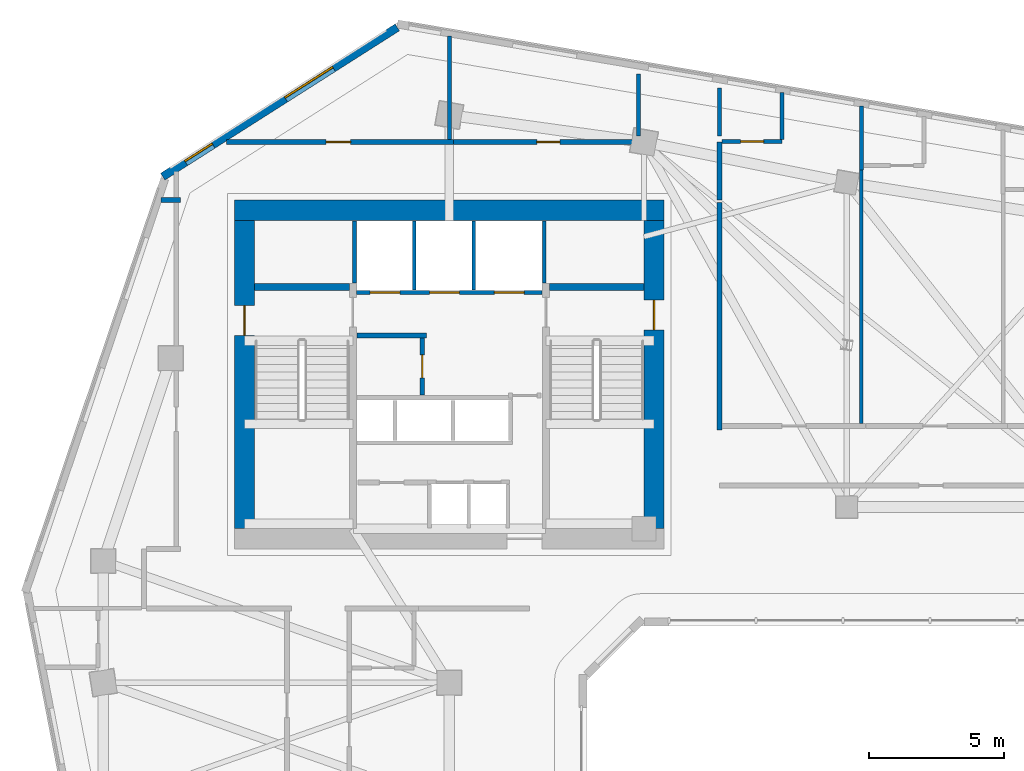
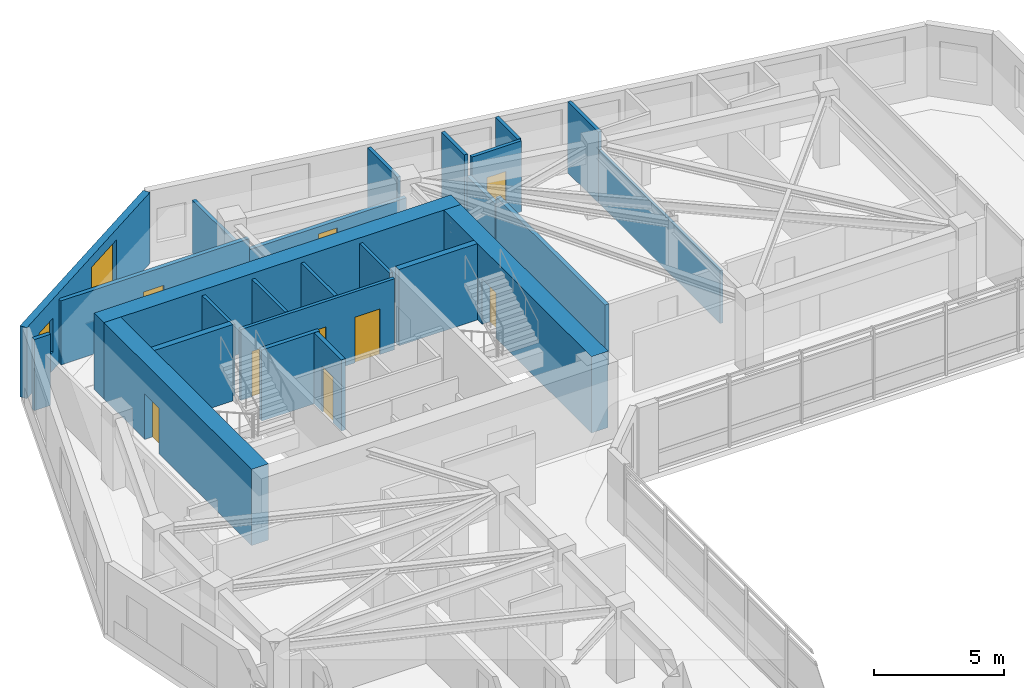
# One storey, part 7 of 11: 25 walls, 9 doors, 2 windows, 11 openings.
"""IFC4 building model written with IfcOpenShell, lengths in metres."""

from ifc_helpers import new_model, si_unit, direction, frame, frame_2d, origin, place, context, subcontext, project, spatial, rectangle, extrude, source, transform, mapped, material, layer, layer_set, type_object, element, fill, save


model = new_model("IFC4")

# Units and contexts
model_context = context("Model", 3, precision=1e-05, world=origin(), true_north=direction((0.0, 1.0)))
body_context = subcontext(model_context, "Body", "Model", "MODEL_VIEW")
ifc_project = project(units=[si_unit("LENGTHUNIT", "METRE"), si_unit("AREAUNIT", "SQUARE_METRE"), si_unit("VOLUMEUNIT", "CUBIC_METRE"), si_unit("PLANEANGLEUNIT", "RADIAN"), si_unit("MASSUNIT", "GRAM", prefix="KILO")], contexts=[model_context])

# Site, building, storey
site_placement = place(None, origin())
site = spatial("IfcSite", under=ifc_project, at=site_placement, CompositionType="ELEMENT")
building_placement = place(site_placement, origin())
building = spatial("IfcBuilding", under=site, at=building_placement, Name="Calvemar Wedge Station Tower", CompositionType="ELEMENT")
storey_placement = place(building_placement, frame((0.0, 0.0, 117.800048828125)))
storey = spatial("IfcBuildingStorey", under=building, at=storey_placement, Name="L28", CompositionType="ELEMENT", Elevation=117.800048828125)

# Walls
ifc_material_1 = material(Name="Concrete C50", Category="concrete")
ifc_layer_1 = layer(ifc_material_1, 0.260009765625)
ifc_layer_set_1 = layer_set([ifc_layer_1], Name="Concrete C50")
wall_type_1 = type_object("IfcWallType", Name="SW-CORE-260", PredefinedType="SHEAR", material=ifc_layer_set_1)
for number, where, z_axis, x_axis, name in (
    (1, (16.60009765625, 43.1298828125, 0.0), (0.0, 0.0, 1.0), (1.0, 0.0, 0.0), "Storey L28 Core Shear Wall STC1-N"),
    (2, (27.5, 43.1298828125, 0.0), (0.0, 0.0, 1.0), (1.0, 0.0, 0.0), "Storey L28 Core Shear Wall STC2-N"),
):
    element("IfcWall", number, at=place(storey_placement, frame(where, z_axis=z_axis, x_axis=x_axis)), inside=storey, type_object=wall_type_1, Name=name, PredefinedType="SHEAR", context=body_context, shape_type="SweptSolid", body=[
        extrude(rectangle(XDim=3.5, YDim=0.260009765625, at=frame_2d((1.75, 0.0))), origin(), (0.0, 0.0, 1.0), 3.599853515625),
    ])
ifc_material_2 = material(Name="Concrete C70", Category="concrete")
ifc_layer_2 = layer(ifc_material_2, 0.75)
ifc_layer_set_2 = layer_set([ifc_layer_2], Name="Concrete C70")
wall_type_2 = type_object("IfcWallType", Name="SW-CORE-750", PredefinedType="SHEAR", material=ifc_layer_set_2)
wall_1_placement = place(storey_placement, frame((15.85009765625, 45.97509765625, 0.0), z_axis=(0.0, 0.0, 1.0), x_axis=(1.0, 0.0, 0.0)))
element("IfcWall", 3, at=wall_1_placement, inside=storey, type_object=wall_type_2, Name="Storey L28 Core Shear Wall N", PredefinedType="SHEAR", context=body_context, shape_type="SweptSolid", body=[
    extrude(rectangle(XDim=15.89990234375, YDim=0.75, at=frame_2d((7.949951171875, 0.0))), origin(), (0.0, 0.0, 1.0), 3.599853515625),
])

# Wall, opening, door
wall_2_placement = place(storey_placement, frame((16.22509765625, 34.199951171875, 0.0), z_axis=(0.0, 0.0, 1.0), x_axis=(0.0, 1.0, 0.0)))
wall_2 = element("IfcWall", 4, at=wall_2_placement, inside=storey, type_object=wall_type_2, Name="Storey L28 Core Shear Wall W", PredefinedType="SHEAR", context=body_context, shape_type="SweptSolid", body=[
    extrude(rectangle(XDim=11.400146484375, YDim=0.75, at=frame_2d((5.7001953125, 0.0))), origin(), (0.0, 0.0, 1.0), 3.599853515625),
])
shared_shape_1 = source(origin(), body_context, "Body", "SweptSolid", [
    extrude(rectangle(XDim=1.10009765625, YDim=2.14990234375, at=frame_2d((0.550048828125, 1.074951171875))), frame((0.0, 0.385009765625, 0.0), z_axis=(0.0, -1.0, 0.0), x_axis=(1.0, 0.0, 0.0)), (0.0, 0.0, 1.0), 0.77001953125),
])
opening_1_placement = place(wall_2_placement, frame((7.14990234375, 0.0, 0.0)))
opening_1 = element("IfcOpeningElement", 5, at=opening_1_placement, cuts=wall_2, Name="Opening FD-90", PredefinedType="OPENING", context=body_context, shape_type="MappedRepresentation", body=[
    mapped(shared_shape_1, transform((0.0, 0.0, 0.0), scale=1.0)),
])
ifc_material_3 = material(Name="Galvanized fire-rated steel door leaf P-90", Category="steel")
door_type_1 = type_object("IfcDoorType", Name="DR-FD90-1100", OperationType="NOTDEFINED", PredefinedType="DOOR", material=ifc_material_3)
shared_shape_2 = source(origin(), body_context, "Body", "SweptSolid", [
    extrude(rectangle(XDim=1.10009765625, YDim=2.14990234375, at=frame_2d((0.550048828125, 1.074951171875))), frame((0.0, 0.02490234375, 0.0), z_axis=(0.0, -1.0, 0.0), x_axis=(1.0, 0.0, 0.0)), (0.0, 0.0, 1.0), 0.050048828125),
])
door_1_placement = place(opening_1_placement, origin())
door_1 = element("IfcDoor", 6, at=door_1_placement, inside=storey, type_object=door_type_1, Name="L28 West Corridor to Exit Stair ST-C1 Door", OperationType="SINGLE_SWING_RIGHT", OverallHeight=2.14990234375, OverallWidth=1.10009765625, PredefinedType="DOOR", context=body_context, shape_type="MappedRepresentation", body=[
    mapped(shared_shape_2, transform((0.0, 0.0, 0.0), scale=1.0)),
])
fill(opening_1, door_1)

wall_3_placement = place(storey_placement, frame((31.375, 34.199951171875, 0.0), z_axis=(0.0, 0.0, 1.0), x_axis=(0.0, 1.0, 0.0)))
wall_3 = element("IfcWall", 7, at=wall_3_placement, inside=storey, type_object=wall_type_2, Name="Storey L28 Core Shear Wall E", PredefinedType="SHEAR", context=body_context, shape_type="SweptSolid", body=[
    extrude(rectangle(XDim=11.400146484375, YDim=0.75, at=frame_2d((5.7001953125, 0.0))), origin(), (0.0, 0.0, 1.0), 3.599853515625),
])
opening_2_placement = place(wall_3_placement, frame((7.35009765625, 0.0, 0.0)))
opening_2 = element("IfcOpeningElement", 8, at=opening_2_placement, cuts=wall_3, Name="Opening FD-90", PredefinedType="OPENING", context=body_context, shape_type="MappedRepresentation", body=[
    mapped(shared_shape_1, transform((0.0, 0.0, 0.0), scale=1.0)),
])
door_2_placement = place(opening_2_placement, origin())
door_2 = element("IfcDoor", 9, at=door_2_placement, inside=storey, type_object=door_type_1, Name="L28 East Corridor to Exit Stair ST-C2 Door", OperationType="SINGLE_SWING_LEFT", OverallHeight=2.14990234375, OverallWidth=1.10009765625, PredefinedType="DOOR", context=body_context, shape_type="MappedRepresentation", body=[
    mapped(shared_shape_2, transform((0.0, 0.0, 0.0), scale=1.0)),
])
fill(opening_2, door_2)

# Wall
ifc_material_4 = material(Name="Double-stud fire-rated corridor partition")
ifc_layer_3 = layer(ifc_material_4, 0.179931640625)
ifc_layer_set_3 = layer_set([ifc_layer_3], Name="Double-stud fire-rated corridor partition")
wall_type_3 = type_object("IfcWallType", Name="W-CORR-180", PredefinedType="PARTITIONING", material=ifc_layer_set_3)
wall_4_placement = place(storey_placement, frame((22.9599609375, 41.35009765625, 0.0), z_axis=(0.0, 0.0, 1.0), x_axis=(-1.0, 0.0, 0.0)))
element("IfcWall", 10, at=wall_4_placement, inside=storey, type_object=wall_type_3, Name="Storey L28 Interior Partition WL-L28-001", PredefinedType="PARTITIONING", context=body_context, shape_type="SweptSolid", body=[
    extrude(rectangle(XDim=2.580078125, YDim=0.179931640625, at=frame_2d((1.2900390625, 0.0))), origin(), (0.0, 0.0, 1.0), 3.349853515625),
])

# Wall, opening, door
wall_5_placement = place(storey_placement, frame((22.800048828125, 41.256103515625, 0.0), z_axis=(0.0, 0.0, 1.0), x_axis=(0.0, -1.0, 0.0)))
wall_5 = element("IfcWall", 11, at=wall_5_placement, inside=storey, type_object=wall_type_3, Name="Storey L28 Interior Partition WL-L28-002", PredefinedType="PARTITIONING", context=body_context, shape_type="SweptSolid", body=[
    extrude(rectangle(XDim=2.106201171875, YDim=0.179931640625, at=frame_2d((1.05322265625, 0.0))), origin(), (0.0, 0.0, 1.0), 3.349853515625),
])
shared_shape_3 = source(origin(), body_context, "Body", "SweptSolid", [
    extrude(rectangle(XDim=0.85009765625, YDim=2.14990234375, at=frame_2d((0.425048828125, 1.074951171875))), frame((0.0, 0.10009765625, 0.0), z_axis=(0.0, -1.0, 0.0), x_axis=(1.0, 0.0, 0.0)), (0.0, 0.0, 1.0), 0.199951171875),
])
opening_3_placement = place(wall_5_placement, frame((0.6279296875, 0.0, 0.0)))
opening_3 = element("IfcOpeningElement", 12, at=opening_3_placement, cuts=wall_5, Name="Opening FD-60S", PredefinedType="OPENING", context=body_context, shape_type="MappedRepresentation", body=[
    mapped(shared_shape_3, transform((0.0, 0.0, 0.0), scale=1.0)),
])
ifc_material_5 = material(Name="Fire-rated steel and hardwood service door EI 60", Category="steel")
door_type_2 = type_object("IfcDoorType", Name="DR-CORE-FD60-850", OperationType="NOTDEFINED", PredefinedType="DOOR", material=ifc_material_5)
shared_shape_4 = source(origin(), body_context, "Body", "SweptSolid", [
    extrude(rectangle(XDim=0.85009765625, YDim=2.14990234375, at=frame_2d((0.425048828125, 1.074951171875))), frame((0.0, 0.02490234375, 0.0), z_axis=(0.0, -1.0, 0.0), x_axis=(1.0, 0.0, 0.0)), (0.0, 0.0, 1.0), 0.050048828125),
])
door_3_placement = place(opening_3_placement, origin())
door_3 = element("IfcDoor", 13, at=door_3_placement, inside=storey, type_object=door_type_2, Name="L28 Core Electrical Switch Room Door", OperationType="SINGLE_SWING_RIGHT", OverallHeight=2.14990234375, OverallWidth=0.85009765625, PredefinedType="DOOR", context=body_context, shape_type="MappedRepresentation", body=[
    mapped(shared_shape_4, transform((0.0, 0.0, 0.0), scale=1.0)),
])
fill(opening_3, door_3)

# Wall
wall_6_placement = place(storey_placement, frame((13.860107421875, 46.35009765625, 0.0), z_axis=(0.0, 0.0, 1.0), x_axis=(-1.0, 0.0, 0.0)))
element("IfcWall", 14, at=wall_6_placement, inside=storey, type_object=wall_type_3, Name="Storey L28 Interior Partition WL-L28-011", PredefinedType="PARTITIONING", context=body_context, shape_type="SweptSolid", body=[
    extrude(rectangle(XDim=0.73486328125, YDim=0.179931640625, at=frame_2d((0.367431640625, 0.0))), origin(), (0.0, 0.0, 1.0), 3.349853515625),
])

# Wall, opening, door
wall_7_placement = place(storey_placement, frame((15.552490234375, 48.5, 0.0), z_axis=(0.0, 0.0, 1.0), x_axis=(1.0, 0.0, 0.0)))
wall_7 = element("IfcWall", 15, at=wall_7_placement, inside=storey, type_object=wall_type_3, Name="Storey L28 Interior Partition WL-L28-012", PredefinedType="PARTITIONING", context=body_context, shape_type="SweptSolid", body=[
    extrude(rectangle(XDim=8.407470703125, YDim=0.179931640625, at=frame_2d((4.20361328125, 0.0))), origin(), (0.0, 0.0, 1.0), 3.01904296875),
])
shared_shape_5 = source(origin(), body_context, "Body", "SweptSolid", [
    extrude(rectangle(XDim=0.89990234375, YDim=2.14990234375, at=frame_2d((0.449951171875, 1.074951171875))), frame((0.0, 0.10009765625, 0.0), z_axis=(0.0, -1.0, 0.0), x_axis=(1.0, 0.0, 0.0)), (0.0, 0.0, 1.0), 0.199951171875),
])
opening_4_placement = place(wall_7_placement, frame((3.69287109375, 0.0, 0.0)))
opening_4 = element("IfcOpeningElement", 16, at=opening_4_placement, cuts=wall_7, Name="Opening D-01", PredefinedType="OPENING", context=body_context, shape_type="MappedRepresentation", body=[
    mapped(shared_shape_5, transform((0.0, 0.0, 0.0), scale=1.0)),
])
ifc_material_6 = material(Name="Architectural hardwood acoustic swing door", Category="wood")
door_type_3 = type_object("IfcDoorType", Name="DR-INT-900", OperationType="NOTDEFINED", PredefinedType="DOOR", material=ifc_material_6)
shared_shape_6 = source(origin(), body_context, "Body", "SweptSolid", [
    extrude(rectangle(XDim=0.89990234375, YDim=2.14990234375, at=frame_2d((0.449951171875, 1.074951171875))), frame((0.0, 0.02490234375, 0.0), z_axis=(0.0, -1.0, 0.0), x_axis=(1.0, 0.0, 0.0)), (0.0, 0.0, 1.0), 0.050048828125),
])
door_4_placement = place(opening_4_placement, origin())
door_4 = element("IfcDoor", 17, at=door_4_placement, inside=storey, type_object=door_type_3, Name="L28 Guest Pantry Door", OperationType="SINGLE_SWING_RIGHT", OverallHeight=2.14990234375, OverallWidth=0.89990234375, PredefinedType="DOOR", context=body_context, shape_type="MappedRepresentation", body=[
    mapped(shared_shape_6, transform((0.0, 0.0, 0.0), scale=1.0)),
])
fill(opening_4, door_4)

wall_8_placement = place(storey_placement, frame((23.9619140625, 48.5, 0.0), z_axis=(0.0, 0.0, 1.0), x_axis=(1.0, 0.0, 0.0)))
wall_8 = element("IfcWall", 18, at=wall_8_placement, inside=storey, type_object=wall_type_3, Name="Storey L28 Interior Partition WL-L28-013", PredefinedType="PARTITIONING", context=body_context, shape_type="SweptSolid", body=[
    extrude(rectangle(XDim=6.998046875, YDim=0.179931640625, at=frame_2d((3.4990234375, 0.0))), origin(), (0.0, 0.0, 1.0), 2.491943359375),
])
opening_5_placement = place(wall_8_placement, frame((3.073974609375, 0.0, 0.0)))
opening_5 = element("IfcOpeningElement", 19, at=opening_5_placement, cuts=wall_8, Name="Opening D-02", PredefinedType="OPENING", context=body_context, shape_type="MappedRepresentation", body=[
    mapped(shared_shape_3, transform((0.0, 0.0, 0.0), scale=1.0)),
])
ifc_material_7 = material(Name="Moisture-sealed bathroom hardwood swing door", Category="wood")
door_type_4 = type_object("IfcDoorType", Name="DR-WET-850", OperationType="NOTDEFINED", PredefinedType="DOOR", material=ifc_material_7)
shared_shape_7 = source(origin(), body_context, "Body", "SweptSolid", [
    extrude(rectangle(XDim=0.85009765625, YDim=2.14990234375, at=frame_2d((0.425048828125, 1.074951171875))), frame((0.0, 0.02490234375, 0.0), z_axis=(0.0, -1.0, 0.0), x_axis=(1.0, 0.0, 0.0)), (0.0, 0.0, 1.0), 0.050048828125),
])
door_5_placement = place(opening_5_placement, origin())
door_5 = element("IfcDoor", 20, at=door_5_placement, inside=storey, type_object=door_type_4, Name="L28 Accessible WC Door", OperationType="SINGLE_SWING_LEFT", OverallHeight=2.14990234375, OverallWidth=0.85009765625, PredefinedType="DOOR", context=body_context, shape_type="MappedRepresentation", body=[
    mapped(shared_shape_7, transform((0.0, 0.0, 0.0), scale=1.0)),
])
fill(opening_5, door_5)

# Walls
wall_9_placement = place(storey_placement, frame((33.800048828125, 48.5, 0.0), z_axis=(0.0, 0.0, 1.0), x_axis=(0.0, -1.0, 0.0)))
element("IfcWall", 21, at=wall_9_placement, inside=storey, type_object=wall_type_3, Name="Storey L28 Interior Partition WL-L28-014", PredefinedType="PARTITIONING", context=body_context, shape_type="SweptSolid", body=[
    extrude(rectangle(XDim=2.14990234375, YDim=0.179931640625, at=frame_2d((1.074951171875, 0.0))), origin(), (0.0, 0.0, 1.0), 2.491943359375),
])
wall_10_placement = place(storey_placement, frame((33.800048828125, 46.256103515625, 0.0), z_axis=(0.0, 0.0, 1.0), x_axis=(0.0, -1.0, 0.0)))
element("IfcWall", 22, at=wall_10_placement, inside=storey, type_object=wall_type_3, Name="Storey L28 Interior Partition WL-L28-015", PredefinedType="PARTITIONING", context=body_context, shape_type="SweptSolid", body=[
    extrude(rectangle(XDim=8.416015625, YDim=0.179931640625, at=frame_2d((4.2080078125, 0.0))), origin(), (0.0, 0.0, 1.0), 2.87890625),
])

# Wall, openings, windows
ifc_material_8 = material(Name="Precast concrete C45", Category="concrete")
ifc_layer_4 = layer(ifc_material_8, 0.300048828125)
ifc_layer_set_4 = layer_set([ifc_layer_4], Name="Precast concrete C45")
wall_type_4 = type_object("IfcWallType", Name="W-EXT-GFRC-300", PredefinedType="SOLIDWALL", material=ifc_layer_set_4)
wall_11_placement = place(storey_placement, frame((21.874755859375, 52.742431640625, 0.0), z_axis=(0.0, 0.0, 1.0), x_axis=(-0.843662465249, -0.536873956092, 0.0)))
wall_11 = element("IfcWall", 23, at=wall_11_placement, inside=storey, type_object=wall_type_4, Name="Storey L28 Bronze GFRC Exterior Wall 11", PredefinedType="SOLIDWALL", context=body_context, shape_type="SweptSolid", body=[
    extrude(rectangle(XDim=10.283935546875, YDim=0.300048828125, at=frame_2d((5.14208984375, 0.0))), origin(), (0.0, 0.0, 1.0), 3.349853515625),
])
shared_shape_8 = source(origin(), body_context, "Body", "SweptSolid", [
    extrude(rectangle(XDim=2.10009765625, YDim=2.0, at=frame_2d((1.050048828125, 1.0))), frame((0.0, 0.16015625, 0.0), z_axis=(0.0, -1.0, 0.0), x_axis=(1.0, 0.0, 0.0)), (0.0, 0.0, 1.0), 0.320068359375),
])
opening_6_placement = place(wall_11_placement, frame((2.805908203125, 0.0, 0.85009765625)))
opening_6 = element("IfcOpeningElement", 24, at=opening_6_placement, cuts=wall_11, Name="Opening W4", PredefinedType="OPENING", context=body_context, shape_type="MappedRepresentation", body=[
    mapped(shared_shape_8, transform((0.0, 0.0, 0.0), scale=1.0)),
])
shared_shape_9 = source(origin(), body_context, "Body", "SweptSolid", [
    extrude(rectangle(XDim=1.199951171875, YDim=1.60009765625, at=frame_2d((0.60009765625, 0.800048828125))), frame((0.0, 0.16015625, 0.0), z_axis=(0.0, -1.0, 0.0), x_axis=(1.0, 0.0, 0.0)), (0.0, 0.0, 1.0), 0.320068359375),
])
opening_7_placement = place(wall_11_placement, frame((8.0869140625, 0.0, 0.85009765625)))
opening_7 = element("IfcOpeningElement", 25, at=opening_7_placement, cuts=wall_11, Name="Opening W5", PredefinedType="OPENING", context=body_context, shape_type="MappedRepresentation", body=[
    mapped(shared_shape_9, transform((0.0, 0.0, 0.0), scale=1.0)),
])
ifc_material_9 = material(Name="Low-E laminated insulated glass", Category="glass")
window_type_1 = type_object("IfcWindowType", Name="WIN-EXT-4", PartitioningType="SINGLE_PANEL", PredefinedType="WINDOW", material=ifc_material_9)
shared_shape_10 = source(origin(), body_context, "Body", "SweptSolid", [
    extrude(rectangle(XDim=2.10009765625, YDim=2.0, at=frame_2d((1.050048828125, 1.0))), frame((0.0, -0.014892578125, 0.0), z_axis=(0.0, -1.0, 0.0), x_axis=(1.0, 0.0, 0.0)), (0.0, 0.0, 1.0), 0.06005859375),
])
window_1_placement = place(opening_6_placement, origin())
window_1 = element("IfcWindow", 26, at=window_1_placement, inside=storey, type_object=window_type_1, Name="Storey L28 Recessed Window 11.1", OverallHeight=2.0, OverallWidth=2.10009765625, PartitioningType="SINGLE_PANEL", PredefinedType="WINDOW", context=body_context, shape_type="MappedRepresentation", body=[
    mapped(shared_shape_10, transform((0.0, 0.0, 0.0), scale=1.0)),
])
fill(opening_6, window_1)
window_type_2 = type_object("IfcWindowType", Name="WIN-EXT-5", PartitioningType="SINGLE_PANEL", PredefinedType="WINDOW", material=ifc_material_9)
shared_shape_11 = source(origin(), body_context, "Body", "SweptSolid", [
    extrude(rectangle(XDim=1.199951171875, YDim=1.60009765625, at=frame_2d((0.60009765625, 0.800048828125))), frame((0.0, -0.014892578125, 0.0), z_axis=(0.0, -1.0, 0.0), x_axis=(1.0, 0.0, 0.0)), (0.0, 0.0, 1.0), 0.06005859375),
])
window_2_placement = place(opening_7_placement, origin())
window_2 = element("IfcWindow", 27, at=window_2_placement, inside=storey, type_object=window_type_2, Name="Storey L28 Recessed Window 11.2", OverallHeight=1.60009765625, OverallWidth=1.199951171875, PartitioningType="SINGLE_PANEL", PredefinedType="WINDOW", context=body_context, shape_type="MappedRepresentation", body=[
    mapped(shared_shape_11, transform((0.0, 0.0, 0.0), scale=1.0)),
])
fill(opening_7, window_2)

# Wall, openings, doors
ifc_material_10 = material(Name="Reinforced concrete blockwork lift shaft wall", Category="masonry")
ifc_layer_5 = layer(ifc_material_10, 0.139892578125)
ifc_layer_set_5 = layer_set([ifc_layer_5], Name="Reinforced concrete blockwork lift shaft wall")
wall_type_5 = type_object("IfcWallType", Name="W-LIFT-160", PredefinedType="SOLIDWALL", material=ifc_layer_set_5)
wall_12_placement = place(storey_placement, frame((20.3701171875, 42.929931640625, 0.0), z_axis=(0.0, 0.0, 1.0), x_axis=(1.0, 0.0, 0.0)))
wall_12 = element("IfcWall", 28, at=wall_12_placement, inside=storey, type_object=wall_type_5, Name="Storey L28 Firefighting and Service Lift Shaft Front Wall", PredefinedType="SOLIDWALL", context=body_context, shape_type="SweptSolid", body=[
    extrude(rectangle(XDim=6.85986328125, YDim=0.139892578125, at=frame_2d((3.429931640625, 0.0))), origin(), (0.0, 0.0, 1.0), 3.349853515625),
])
shared_shape_12 = source(origin(), body_context, "Body", "SweptSolid", [
    extrude(rectangle(XDim=1.10009765625, YDim=2.14990234375, at=frame_2d((0.550048828125, 1.074951171875))), frame((0.0, 0.080078125, 0.0), z_axis=(0.0, -1.0, 0.0), x_axis=(1.0, 0.0, 0.0)), (0.0, 0.0, 1.0), 0.159912109375),
])
opening_8_placement = place(wall_12_placement, frame((0.5, 0.0, 0.0)))
opening_8 = element("IfcOpeningElement", 29, at=opening_8_placement, cuts=wall_12, Name="Opening LD-FF", PredefinedType="OPENING", context=body_context, shape_type="MappedRepresentation", body=[
    mapped(shared_shape_12, transform((0.0, 0.0, 0.0), scale=1.0)),
])
opening_9_placement = place(wall_12_placement, frame((2.699951171875, 0.0, 0.0)))
opening_9 = element("IfcOpeningElement", 30, at=opening_9_placement, cuts=wall_12, Name="Opening LD-FF", PredefinedType="OPENING", context=body_context, shape_type="MappedRepresentation", body=[
    mapped(shared_shape_12, transform((0.0, 0.0, 0.0), scale=1.0)),
])
opening_10_placement = place(wall_12_placement, frame((5.10009765625, 0.0, 0.0)))
opening_10 = element("IfcOpeningElement", 31, at=opening_10_placement, cuts=wall_12, Name="Opening LD-STN", PredefinedType="OPENING", context=body_context, shape_type="MappedRepresentation", body=[
    mapped(shared_shape_12, transform((0.0, 0.0, 0.0), scale=1.0)),
])
ifc_material_11 = material(Name="Stainless steel firefighting lift sliding landing door", Category="steel")
door_type_5 = type_object("IfcDoorType", Name="DR-LD-FF-1100", OperationType="SLIDING_TO_LEFT", PredefinedType="DOOR", material=ifc_material_11)
shared_shape_13 = source(origin(), body_context, "Body", "SweptSolid", [
    extrude(rectangle(XDim=1.10009765625, YDim=2.14990234375, at=frame_2d((0.550048828125, 1.074951171875))), frame((0.0, 0.02490234375, 0.0), z_axis=(0.0, -1.0, 0.0), x_axis=(1.0, 0.0, 0.0)), (0.0, 0.0, 1.0), 0.050048828125),
])
door_6_placement = place(opening_8_placement, origin())
door_6 = element("IfcDoor", 32, at=door_6_placement, inside=storey, type_object=door_type_5, Name="L28 Lift FF-01 Sliding Landing Door", OperationType="SLIDING_TO_LEFT", OverallHeight=2.14990234375, OverallWidth=1.10009765625, PredefinedType="DOOR", context=body_context, shape_type="MappedRepresentation", body=[
    mapped(shared_shape_13, transform((0.0, 0.0, 0.0), scale=1.0)),
])
fill(opening_8, door_6)
door_7_placement = place(opening_9_placement, origin())
door_7 = element("IfcDoor", 33, at=door_7_placement, inside=storey, type_object=door_type_5, Name="L28 Lift FF-02 Sliding Landing Door", OperationType="SLIDING_TO_RIGHT", OverallHeight=2.14990234375, OverallWidth=1.10009765625, PredefinedType="DOOR", context=body_context, shape_type="MappedRepresentation", body=[
    mapped(shared_shape_13, transform((0.0, 0.0, 0.0), scale=1.0)),
])
fill(opening_9, door_7)
ifc_material_12 = material(Name="Stainless steel transit lift sliding landing door", Category="steel")
door_type_6 = type_object("IfcDoorType", Name="DR-LD-PAX-1100", OperationType="SLIDING_TO_LEFT", PredefinedType="DOOR", material=ifc_material_12)
shared_shape_14 = source(origin(), body_context, "Body", "SweptSolid", [
    extrude(rectangle(XDim=1.10009765625, YDim=2.14990234375, at=frame_2d((0.550048828125, 1.074951171875))), frame((0.0, 0.02490234375, 0.0), z_axis=(0.0, -1.0, 0.0), x_axis=(1.0, 0.0, 0.0)), (0.0, 0.0, 1.0), 0.050048828125),
])
door_8_placement = place(opening_10_placement, origin())
door_8 = element("IfcDoor", 34, at=door_8_placement, inside=storey, type_object=door_type_6, Name="L28 Lift SV-01 Sliding Landing Door", OperationType="SLIDING_TO_LEFT", OverallHeight=2.14990234375, OverallWidth=1.10009765625, PredefinedType="DOOR", context=body_context, shape_type="MappedRepresentation", body=[
    mapped(shared_shape_14, transform((0.0, 0.0, 0.0), scale=1.0)),
])
fill(opening_10, door_8)

# Walls
for number, where, z_axis, x_axis, name in (
    (35, (20.2900390625, 43.280029296875, 0.0), (0.0, 0.0, 1.0), (0.0, 1.0, 0.0), "Storey L28 Firefighting Lift Shaft Enclosure Wall W"),
    (36, (27.31005859375, 43.280029296875, 0.0), (0.0, 0.0, 1.0), (0.0, 1.0, 0.0), "Storey L28 Firefighting Lift Shaft Enclosure Wall E"),
):
    element("IfcWall", number, at=place(storey_placement, frame(where, z_axis=z_axis, x_axis=x_axis)), inside=storey, type_object=wall_type_5, Name=name, PredefinedType="SOLIDWALL", context=body_context, shape_type="SweptSolid", body=[
        extrude(rectangle(XDim=2.300048828125, YDim=0.139892578125, at=frame_2d((1.14990234375, 0.0))), origin(), (0.0, 0.0, 1.0), 3.349853515625),
    ])
for number, where, z_axis, x_axis, name in (
    (37, (22.5, 43.02001953125, 0.0), (0.0, 0.0, 1.0), (0.0, 1.0, 0.0), "Storey L28 Firefighting Lift Shaft Enclosure Wall D1"),
    (38, (24.699951171875, 43.02001953125, 0.0), (0.0, 0.0, 1.0), (0.0, 1.0, 0.0), "Storey L28 Firefighting Lift Shaft Enclosure Wall D2"),
):
    element("IfcWall", number, at=place(storey_placement, frame(where, z_axis=z_axis, x_axis=x_axis)), inside=storey, type_object=wall_type_5, Name=name, PredefinedType="SOLIDWALL", context=body_context, shape_type="SweptSolid", body=[
        extrude(rectangle(XDim=2.56005859375, YDim=0.139892578125, at=frame_2d((1.280029296875, 0.0))), origin(), (0.0, 0.0, 1.0), 3.349853515625),
    ])
ifc_material_13 = material(Name="Insulated acoustic gypsum stud partition")
ifc_layer_6 = layer(ifc_material_13, 0.125)
ifc_layer_set_6 = layer_set([ifc_layer_6], Name="Insulated acoustic gypsum stud partition")
wall_type_6 = type_object("IfcWallType", Name="W-PART-125", PredefinedType="PARTITIONING", material=ifc_layer_set_6)
wall_13_placement = place(storey_placement, frame((39.044921875, 47.470458984375, 0.0), z_axis=(0.0, 0.0, 1.0), x_axis=(0.0, -1.0, 0.0)))
element("IfcWall", 39, at=wall_13_placement, inside=storey, type_object=wall_type_6, Name="Storey L28 Interior Partition WL-L28-027", PredefinedType="PARTITIONING", context=body_context, shape_type="SweptSolid", body=[
    extrude(rectangle(XDim=9.37646484375, YDim=0.125, at=frame_2d((4.688232421875, 0.0))), origin(), (0.0, 0.0, 1.0), 2.491943359375),
])
ifc_material_14 = material(Name="Moisture-resistant acoustic bathroom partition")
ifc_layer_7 = layer(ifc_material_14, 0.14990234375)
ifc_layer_set_7 = layer_set([ifc_layer_7], Name="Moisture-resistant acoustic bathroom partition")
wall_type_7 = type_object("IfcWallType", Name="W-WET-150", PredefinedType="PARTITIONING", material=ifc_layer_set_7)
wall_14_placement = place(storey_placement, frame((23.800048828125, 52.425048828125, 0.0), z_axis=(0.0, 0.0, 1.0), x_axis=(0.0, -1.0, 0.0)))
element("IfcWall", 40, at=wall_14_placement, inside=storey, type_object=wall_type_7, Name="Storey L28 Interior Partition WL-L28-018", PredefinedType="PARTITIONING", context=body_context, shape_type="SweptSolid", body=[
    extrude(rectangle(XDim=3.8310546875, YDim=0.14990234375, at=frame_2d((1.91552734375, 0.0))), origin(), (0.0, 0.0, 1.0), 2.491943359375),
])

# Wall, opening, door
wall_15_placement = place(storey_placement, frame((36.10791015625, 48.5244140625, 0.0), z_axis=(0.0, 0.0, 1.0), x_axis=(-1.0, 0.0, 0.0)))
wall_15 = element("IfcWall", 41, at=wall_15_placement, inside=storey, type_object=wall_type_7, Name="Storey L28 Interior Partition WL-L28-024", PredefinedType="PARTITIONING", context=body_context, shape_type="SweptSolid", body=[
    extrude(rectangle(XDim=2.2138671875, YDim=0.14990234375, at=frame_2d((1.10693359375, 0.0))), origin(), (0.0, 0.0, 1.0), 3.349853515625),
])
shared_shape_15 = source(origin(), body_context, "Body", "SweptSolid", [
    extrude(rectangle(XDim=0.85009765625, YDim=2.14990234375, at=frame_2d((0.425048828125, 1.074951171875))), frame((0.0, 0.0849609375, 0.0), z_axis=(0.0, -1.0, 0.0), x_axis=(1.0, 0.0, 0.0)), (0.0, 0.0, 1.0), 0.169921875),
])
opening_11_placement = place(wall_15_placement, frame((0.681884765625, 0.0, 0.0)))
opening_11 = element("IfcOpeningElement", 42, at=opening_11_placement, cuts=wall_15, Name="Opening D-02", PredefinedType="OPENING", context=body_context, shape_type="MappedRepresentation", body=[
    mapped(shared_shape_15, transform((0.0, 0.0, 0.0), scale=1.0)),
])
door_9_placement = place(opening_11_placement, origin())
door_9 = element("IfcDoor", 43, at=door_9_placement, inside=storey, type_object=door_type_4, Name="L28 En-Suite Bathroom Door", OperationType="SINGLE_SWING_RIGHT", OverallHeight=2.14990234375, OverallWidth=0.85009765625, PredefinedType="DOOR", context=body_context, shape_type="MappedRepresentation", body=[
    mapped(shared_shape_7, transform((0.0, 0.0, 0.0), scale=1.0)),
])
fill(opening_11, door_9)

# Walls
wall_16_placement = place(storey_placement, frame((36.10791015625, 50.331787109375, 0.0), z_axis=(0.0, 0.0, 1.0), x_axis=(0.0, -1.0, 0.0)))
element("IfcWall", 44, at=wall_16_placement, inside=storey, type_object=wall_type_7, Name="Storey L28 Interior Partition WL-L28-025", PredefinedType="PARTITIONING", context=body_context, shape_type="SweptSolid", body=[
    extrude(rectangle(XDim=1.728271484375, YDim=0.14990234375, at=frame_2d((0.8642578125, 0.0))), origin(), (0.0, 0.0, 1.0), 3.349853515625),
])
wall_17_placement = place(storey_placement, frame((39.044921875, 49.83251953125, 0.0), z_axis=(0.0, 0.0, 1.0), x_axis=(0.0, -1.0, 0.0)))
element("IfcWall", 45, at=wall_17_placement, inside=storey, type_object=wall_type_7, Name="Storey L28 Interior Partition WL-L28-026", PredefinedType="PARTITIONING", context=body_context, shape_type="SweptSolid", body=[
    extrude(rectangle(XDim=2.360107421875, YDim=0.14990234375, at=frame_2d((1.18017578125, 0.0))), origin(), (0.0, 0.0, 1.0), 3.349853515625),
])
wall_18_placement = place(storey_placement, frame((30.800048828125, 51.011474609375, 0.0), z_axis=(0.0, 0.0, 1.0), x_axis=(0.0, -1.0, 0.0)))
element("IfcWall", 46, at=wall_18_placement, inside=storey, type_object=wall_type_7, Name="Storey L28 Bathroom Enclosure Wall WL-L28-056", PredefinedType="PARTITIONING", context=body_context, shape_type="SweptSolid", body=[
    extrude(rectangle(XDim=2.29150390625, YDim=0.14990234375, at=frame_2d((1.145751953125, 0.0))), origin(), (0.0, 0.0, 1.0), 3.349853515625),
])
wall_19_placement = place(storey_placement, frame((33.800048828125, 48.72314453125, 0.0), z_axis=(0.0, 0.0, 1.0), x_axis=(0.0, 1.0, 0.0)))
element("IfcWall", 47, at=wall_19_placement, inside=storey, type_object=wall_type_7, Name="Storey L28 Bathroom Enclosure Wall WL-L28-057", PredefinedType="PARTITIONING", context=body_context, shape_type="SweptSolid", body=[
    extrude(rectangle(XDim=1.778076171875, YDim=0.14990234375, at=frame_2d((0.88916015625, 0.0))), origin(), (0.0, 0.0, 1.0), 3.349853515625),
])

save(model, "model.ifc")
